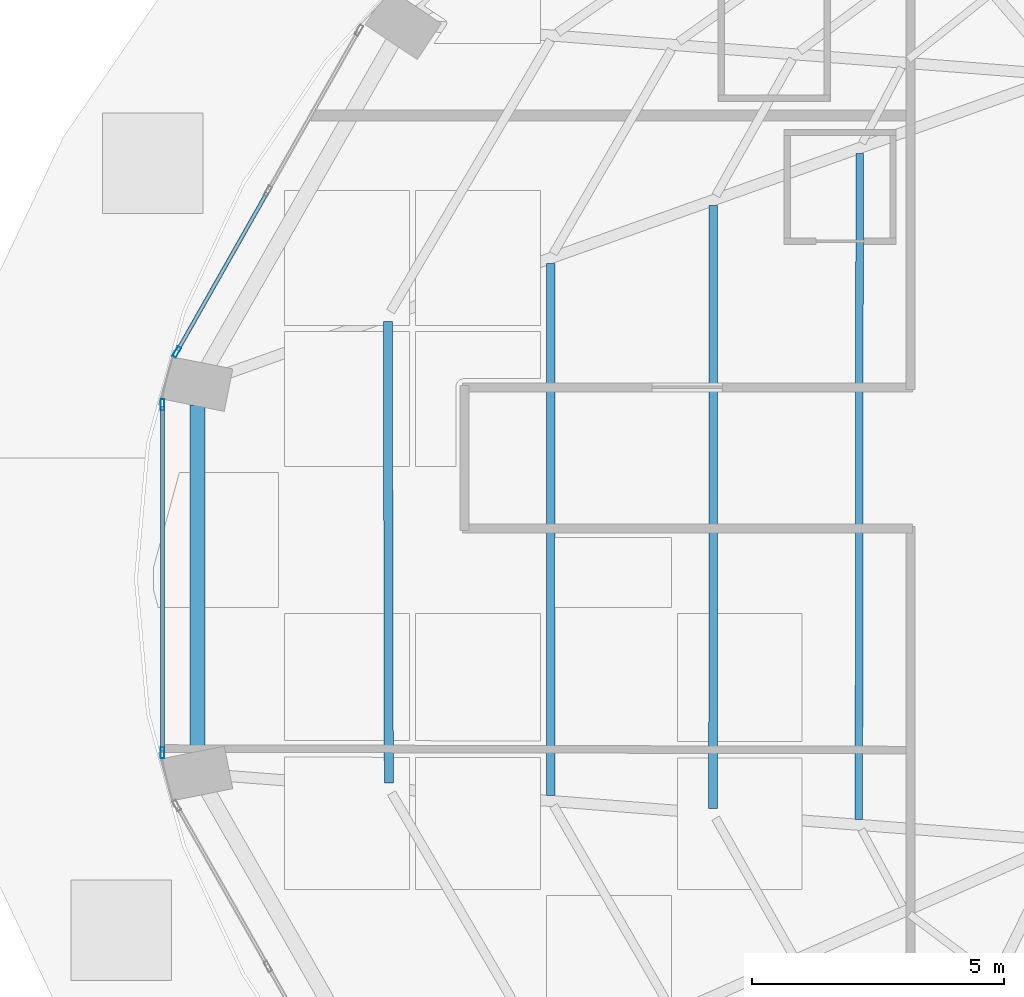
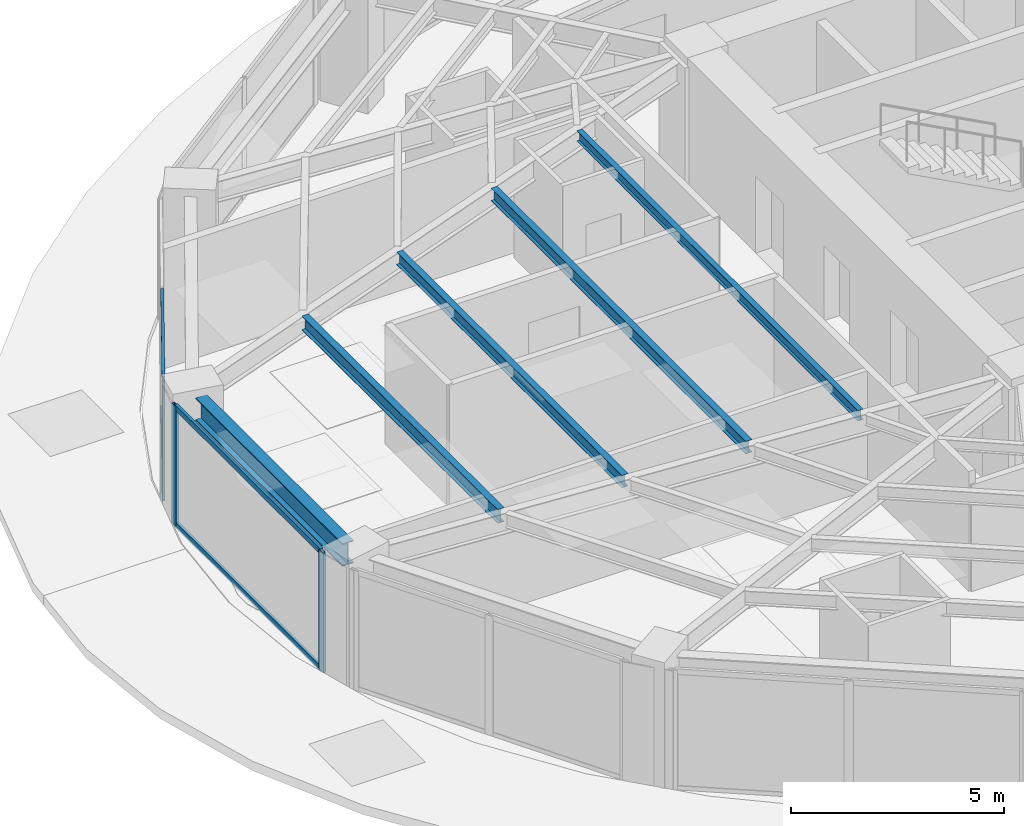
# One storey, part 7 of 25: 7 members, 5 beams, 2 elements without a shape of their own.
"""IFC4 building model written with IfcOpenShell, lengths in metres."""

import ifcopenshell
import ifcopenshell.guid

model = None  # the IFC model being written
_history = None  # IfcOwnerHistory: only IFC2X3 demands one
_inside = {}  # id of a spatial element -> (the spatial element, [elements in it])
_under = {}  # id of a project, library or spatial element -> (it, [spatial elements below it])
_declared = {}  # id of a project -> (the project, [libraries it declares])
_typed = {}  # id of a type object -> (the type object, [elements of that type])
_made_of = {}  # id of a material, layer set ... -> (it, [elements and type objects made of it])


def new_model(schema):
    """Start an empty IFC model of exactly this schema.

    Asked for "IFC4X3", IfcOpenShell would pick the latest addendum, in which some entities
    have other attributes; the version numbers below select the first issue.
    IFC2X3 requires an IfcOwnerHistory on every rooted entity: one is made here for all.
    """
    global model, _history
    if schema == "IFC4X3":
        model = ifcopenshell.file(schema_version=(4, 3, 0, 0))
    else:
        model = ifcopenshell.file(schema=schema)
    _inside.clear()
    _under.clear()
    _declared.clear()
    _typed.clear()
    _made_of.clear()
    _history = None
    if model.schema == "IFC2X3":
        org = make("IfcOrganization", Name="unknown")
        user = make(
            "IfcPersonAndOrganization",
            ThePerson=make("IfcPerson", FamilyName="unknown"),
            TheOrganization=org,
        )
        app = make(
            "IfcApplication",
            ApplicationDeveloper=org,
            Version="unknown",
            ApplicationFullName="unknown",
            ApplicationIdentifier="unknown",
        )
        _history = make(
            "IfcOwnerHistory",
            OwningUser=user,
            OwningApplication=app,
            ChangeAction="ADDED",
            CreationDate=0,
        )
    return model


def make(cls, **values):
    """One entity of the class cls with the attributes given. An attribute that is None is left unset."""
    return model.create_entity(
        cls, **{name: value for name, value in values.items() if value is not None}
    )


def rooted(cls, **values):
    """An entity with a GlobalId (a new one), such as an element, a storey or a relation."""
    return make(cls, GlobalId=ifcopenshell.guid.new(), OwnerHistory=_history, **values)


def si_unit(unit_type, name, prefix=None):
    """IfcSIUnit, for example si_unit("LENGTHUNIT", "METRE", prefix="MILLI")."""
    return make("IfcSIUnit", UnitType=unit_type, Prefix=prefix, Name=name)


def assignment(units):
    """IfcUnitAssignment: the units of a project."""
    return None if units is None else make("IfcUnitAssignment", Units=units)


def point(xyz):
    """IfcCartesianPoint."""
    return None if xyz is None else make("IfcCartesianPoint", Coordinates=xyz)


def direction(xyz):
    """IfcDirection."""
    return None if xyz is None else make("IfcDirection", DirectionRatios=xyz)


def frame(location, z_axis=None, x_axis=None):
    """IfcAxis2Placement3D, a coordinate frame: its origin and axes. An axis left out is left unset."""
    return make(
        "IfcAxis2Placement3D",
        Location=point(location),
        Axis=direction(z_axis),
        RefDirection=direction(x_axis),
    )


def frame_2d(location, x_axis=None):
    """IfcAxis2Placement2D, a coordinate frame in the plane: its origin and x axis."""
    return make(
        "IfcAxis2Placement2D", Location=point(location), RefDirection=direction(x_axis)
    )


def origin():
    """The frame at (0, 0, 0) with its axes left unset."""
    return frame((0.0, 0.0, 0.0))


def origin_2d():
    """The frame at (0, 0) in the plane with its x axis left unset."""
    return frame_2d((0.0, 0.0))


def place(relative_to, where):
    """IfcLocalPlacement: puts the frame where relative to a parent placement (None: the world)."""
    return make(
        "IfcLocalPlacement", PlacementRelTo=relative_to, RelativePlacement=where
    )


def context(
    kind, dimensions, precision=None, world=None, true_north=None, identifier=None
):
    """IfcGeometricRepresentationContext, for example the 3D "Model" context."""
    return make(
        "IfcGeometricRepresentationContext",
        ContextIdentifier=identifier,
        ContextType=kind,
        CoordinateSpaceDimension=dimensions,
        Precision=precision,
        WorldCoordinateSystem=world,
        TrueNorth=true_north,
    )


def subcontext(parent, identifier, kind, view, scale=None):
    """IfcGeometricRepresentationSubContext, for example "Body" below "Model"."""
    return make(
        "IfcGeometricRepresentationSubContext",
        ContextIdentifier=identifier,
        ContextType=kind,
        ParentContext=parent,
        TargetScale=scale,
        TargetView=view,
    )


def project(units=None, contexts=None):
    """IfcProject with its units and contexts."""
    return rooted(
        "IfcProject",
        Name="project",
        RepresentationContexts=contexts,
        UnitsInContext=assignment(units),
    )


def spatial(cls, under=None, at=None, **own):
    """A site, building, storey or space (cls), placed at a placement, below another one or the project."""
    s = rooted(cls, ObjectPlacement=at, **own)
    if under is not None:
        _under.setdefault(under.id(), (under, []))[1].append(s)
    return s


def profile(cls, at=None, kind="AREA", **sizes):
    """A parametric profile (cls). Its sizes go by their IFC names, for example OverallWidth=200.0."""
    return make(cls, ProfileType=kind, Position=at, **sizes)


def hollow_rectangle(**sizes):
    """IfcRectangleHollowProfileDef."""
    return profile("IfcRectangleHollowProfileDef", **sizes)


def i_section(**sizes):
    """IfcIShapeProfileDef."""
    return profile("IfcIShapeProfileDef", **sizes)


def extrude(swept, where, along, depth):
    """IfcExtrudedAreaSolid: the profile swept, set in the frame where, extruded along a direction by depth."""
    return make(
        "IfcExtrudedAreaSolid",
        SweptArea=swept,
        Position=where,
        ExtrudedDirection=direction(along),
        Depth=depth,
    )


def shape(context_of_items, identifier, shape_type, items):
    """IfcShapeRepresentation: the items that make up one representation, for example the "Body"."""
    return make(
        "IfcShapeRepresentation",
        ContextOfItems=context_of_items,
        RepresentationIdentifier=identifier,
        RepresentationType=shape_type,
        Items=items,
    )


def material(Name=None, Category=None):
    """IfcMaterial."""
    return make("IfcMaterial", Name=Name, Category=Category)


def layer(
    of_material, thickness, ventilated=None, Name=None, Category=None, Priority=None
):
    """IfcMaterialLayer: one layer of a wall or slab, of a material (None: an air gap)."""
    return make(
        "IfcMaterialLayer",
        Material=of_material,
        LayerThickness=thickness,
        IsVentilated=ventilated,
        Name=Name,
        Category=Category,
        Priority=Priority,
    )


def layer_set(layers, Name=None):
    """IfcMaterialLayerSet."""
    return make("IfcMaterialLayerSet", MaterialLayers=layers, LayerSetName=Name)


def material_profile(
    of_material, cross_section, Name=None, Category=None, Priority=None
):
    """IfcMaterialProfile: a cross section and its material."""
    return make(
        "IfcMaterialProfile",
        Name=Name,
        Material=of_material,
        Profile=cross_section,
        Priority=Priority,
        Category=Category,
    )


def profile_set(profiles, Name=None, composite=None):
    """IfcMaterialProfileSet."""
    return make(
        "IfcMaterialProfileSet",
        Name=Name,
        MaterialProfiles=profiles,
        CompositeProfile=composite,
    )


def made_of(thing, what):
    """Note that an element or type object is made of a material, layer set ...; save() writes the relation."""
    if what is not None:
        _made_of.setdefault(what.id(), (what, []))[1].append(thing)
    return thing


def type_object(cls, material=None, **own):
    """A type object (cls), such as IfcWallType, which elements share."""
    return made_of(rooted(cls, **own), material)


def element(
    cls,
    number,
    at=None,
    inside=None,
    cuts=None,
    type_object=None,
    material=None,
    context=None,
    identifier="Body",
    shape_type=None,
    held_by="IfcProductDefinitionShape",
    body=None,
    shapes=None,
    **own,
):
    """One element of the class cls, such as IfcWall. Its Tag is "e" and its number.

    at: its placement. inside: the storey or other place that contains it. cuts: it is an
    opening in that element (IfcRelVoidsElement). A single representation is given by context,
    identifier, shape_type and body (its items); several are given by shapes. held_by: the class
    of the entity that holds the representations. save() writes the other relations.
    """
    e = rooted(cls, Tag="e%d" % number, ObjectPlacement=at, **own)
    if body is not None:
        shapes = [shape(context, identifier, shape_type, body)]
    if shapes is not None:
        e.Representation = make(held_by, Representations=shapes)
    if inside is not None:
        _inside.setdefault(inside.id(), (inside, []))[1].append(e)
    if cuts is not None:
        rooted(
            "IfcRelVoidsElement", RelatingBuildingElement=cuts, RelatedOpeningElement=e
        )
    if type_object is not None:
        _typed.setdefault(type_object.id(), (type_object, []))[1].append(e)
    return made_of(e, material)


def aggregate(whole, parts):
    """IfcRelAggregates: a whole, such as a stair, and the parts it consists of."""
    return rooted("IfcRelAggregates", RelatingObject=whole, RelatedObjects=parts)


def save(model, path):
    """Write the relations noted so far, then the file.

    IfcRelAggregates (storeys below a building ...), IfcRelContainedInSpatialStructure (elements
    in a storey), IfcRelDefinesByType, IfcRelAssociatesMaterial and IfcRelDeclares: one each for
    every whole, place, type object, material and project.
    """
    for whole, parts in _under.values():
        aggregate(whole, parts)
    for where, things in _inside.values():
        rooted(
            "IfcRelContainedInSpatialStructure",
            RelatedElements=things,
            RelatingStructure=where,
        )
    for kind, things in _typed.values():
        rooted("IfcRelDefinesByType", RelatedObjects=things, RelatingType=kind)
    for what, things in _made_of.values():
        rooted("IfcRelAssociatesMaterial", RelatedObjects=things, RelatingMaterial=what)
    for by, libraries in _declared.values():
        rooted("IfcRelDeclares", RelatingContext=by, RelatedDefinitions=libraries)
    model.write(path)


model = new_model("IFC4")

# Units and contexts
model_context = context("Model", 3, precision=1e-05, world=origin(), true_north=direction((0.0, 1.0)))
body_context = subcontext(model_context, "Body", "Model", "MODEL_VIEW")
ifc_project = project(units=[si_unit("LENGTHUNIT", "METRE"), si_unit("AREAUNIT", "SQUARE_METRE"), si_unit("VOLUMEUNIT", "CUBIC_METRE"), si_unit("PLANEANGLEUNIT", "RADIAN"), si_unit("MASSUNIT", "GRAM", prefix="KILO")], contexts=[model_context])

# Site, building, storey
site_placement = place(None, origin())
site = spatial("IfcSite", under=ifc_project, at=site_placement, CompositionType="ELEMENT")
building_placement = place(site_placement, origin())
building = spatial("IfcBuilding", under=site, at=building_placement, Name="Lazwardi Medical Tower", CompositionType="ELEMENT")
storey_placement = place(building_placement, frame((0.0, 0.0, 25.199951171875)))
storey = spatial("IfcBuildingStorey", under=building, at=storey_placement, Name="L05", CompositionType="ELEMENT", Elevation=25.199951171875)

# Beams
ifc_material_1 = material(Name="Steel S355", Category="steel")
ifc_material_profile_1 = material_profile(ifc_material_1, i_section(OverallWidth=0.300048828125, OverallDepth=0.64990234375, WebThickness=0.01611328125, FlangeThickness=0.031005859375, at=origin_2d()), Name="HEB 650")
ifc_profile_set_1 = profile_set([ifc_material_profile_1], Name="Steel S355")
beam_type_1 = type_object("IfcBeamType", Name="BM-RB-Z1", PredefinedType="BEAM", material=ifc_profile_set_1)
beam_1_placement = place(storey_placement, frame((9.199951171875, 29.047607421875, 3.10302734375), z_axis=(0.0, -1.0, 0.0), x_axis=(1.0, 0.0, 0.0)))
element("IfcBeam", 1, at=beam_1_placement, inside=storey, type_object=beam_type_1, Name="Ring beam RB-02 B12 L05", PredefinedType="BEAM", context=body_context, shape_type="SweptSolid", body=[
    extrude(i_section(OverallWidth=0.300048828125, OverallDepth=0.64990234375, WebThickness=0.01611328125, FlangeThickness=0.031005859375, at=origin_2d()), origin(), (0.0, 0.0, 1.0), 6.895263671875),
])
ifc_material_profile_2 = material_profile(ifc_material_1, i_section(OverallWidth=0.179931640625, OverallDepth=0.39990234375, WebThickness=0.008544921875, FlangeThickness=0.013427734375, at=origin_2d()), Name="IPE 400")
ifc_profile_set_2 = profile_set([ifc_material_profile_2], Name="Steel S355")
beam_type_2 = type_object("IfcBeamType", Name="BM-SJ-01", PredefinedType="JOIST", material=ifc_profile_set_2)
beam_2_placement = place(storey_placement, frame((12.9765625, 30.708984375, 3.22802734375), z_axis=(0.002077613181, -0.999997841759, 0.0), x_axis=(0.999997841759, 0.002077613181, 0.0)))
element("IfcBeam", 2, at=beam_2_placement, inside=storey, type_object=beam_type_2, Name="Secondary joist SJ-01 R1 B12 L05", PredefinedType="JOIST", context=body_context, shape_type="SweptSolid", body=[
    extrude(i_section(OverallWidth=0.179931640625, OverallDepth=0.39990234375, WebThickness=0.008544921875, FlangeThickness=0.013427734375, at=origin_2d()), origin(), (0.0, 0.0, 1.0), 9.165771484375),
])
ifc_material_profile_3 = material_profile(ifc_material_1, i_section(OverallWidth=0.169921875, OverallDepth=0.360107421875, WebThickness=0.008056640625, FlangeThickness=0.0126953125, at=origin_2d()), Name="IPE 360")
ifc_profile_set_3 = profile_set([ifc_material_profile_3], Name="Steel S355")
beam_type_3 = type_object("IfcBeamType", Name="BM-SJ-02", PredefinedType="JOIST", material=ifc_profile_set_3)
beam_3_placement = place(storey_placement, frame((16.206298828125, 31.860595703125, 3.248046875), z_axis=(0.000670039821, -0.999999775523, 0.0), x_axis=(0.999999775523, 0.000670039821, 0.0)))
element("IfcBeam", 3, at=beam_3_placement, inside=storey, type_object=beam_type_3, Name="Secondary joist SJ-02 R2 B12 L05", PredefinedType="JOIST", context=body_context, shape_type="SweptSolid", body=[
    extrude(i_section(OverallWidth=0.169921875, OverallDepth=0.360107421875, WebThickness=0.008056640625, FlangeThickness=0.0126953125, at=origin_2d()), origin(), (0.0, 0.0, 1.0), 10.566650390625),
])
beam_4_placement = place(storey_placement, frame((19.43603515625, 33.01220703125, 3.248046875), z_axis=(-0.000387612685, -0.999999924878, 0.0), x_axis=(0.999999924878, -0.000387612685, 0.0)))
element("IfcBeam", 4, at=beam_4_placement, inside=storey, type_object=beam_type_3, Name="Secondary joist SJ-02 R3 B12 L05", PredefinedType="JOIST", context=body_context, shape_type="SweptSolid", body=[
    extrude(i_section(OverallWidth=0.169921875, OverallDepth=0.360107421875, WebThickness=0.008056640625, FlangeThickness=0.0126953125, at=origin_2d()), origin(), (0.0, 0.0, 1.0), 11.96728515625),
])
ifc_material_profile_4 = material_profile(ifc_material_1, i_section(OverallWidth=0.14990234375, OverallDepth=0.300048828125, WebThickness=0.007080078125, FlangeThickness=0.0107421875, at=origin_2d()), Name="IPE 300")
ifc_profile_set_4 = profile_set([ifc_material_profile_4], Name="Steel S355")
beam_type_4 = type_object("IfcBeamType", Name="BM-SJ-03", PredefinedType="JOIST", material=ifc_profile_set_4)
beam_5_placement = place(storey_placement, frame((22.343017578125, 34.048583984375, 3.278076171875), z_axis=(-0.001181203266, -0.999999302379, 0.0), x_axis=(0.999999302379, -0.001181203266, 0.0)))
element("IfcBeam", 5, at=beam_5_placement, inside=storey, type_object=beam_type_4, Name="Secondary joist SJ-03 R4 B12 L05", PredefinedType="JOIST", context=body_context, shape_type="SweptSolid", body=[
    extrude(i_section(OverallWidth=0.14990234375, OverallDepth=0.300048828125, WebThickness=0.007080078125, FlangeThickness=0.0107421875, at=origin_2d()), origin(), (0.0, 0.0, 1.0), 13.22802734375),
])

# Curtain wall, member
ifc_material_2 = material(Name="Anodised bronze aluminium and solar control glazing", Category="aluminium")
ifc_layer = layer(ifc_material_2, 0.199951171875)
ifc_layer_set = layer_set([ifc_layer], Name="Anodised bronze aluminium and solar control glazing")
curtain_wall_type = type_object("IfcCurtainWallType", Name="CW-SYS-02", PredefinedType="NOTDEFINED", material=ifc_layer_set)
curtain_wall_1_placement = place(storey_placement, origin())
curtain_wall_1 = element("IfcCurtainWall", 6, at=curtain_wall_1_placement, inside=storey, type_object=curtain_wall_type, Name="L05 Unitised bronze curtain wall CW-02", PredefinedType="NOTDEFINED")
ifc_material_3 = material(Name="Anodised bronze aluminium", Category="aluminium")
ifc_material_profile_5 = material_profile(ifc_material_3, hollow_rectangle(XDim=0.074951171875, YDim=0.219970703125, WallThickness=0.00390625, at=origin_2d()), Name="ALU-MULLION 220x75x4")
ifc_profile_set_5 = profile_set([ifc_material_profile_5], Name="Anodised bronze aluminium")
member_type_1 = type_object("IfcMemberType", Name="CW-MUL-01", PredefinedType="MULLION", material=ifc_profile_set_5)
member_1_placement = place(storey_placement, frame((8.785888671875, 30.102294921875, 0.0), z_axis=(0.0, 0.0, 1.0), x_axis=(0.870111838823, -0.492854327303, 0.0)))
member_1 = element("IfcMember", 7, at=member_1_placement, type_object=member_type_1, Name="CW-02 mullion 3", PredefinedType="MULLION", context=body_context, shape_type="SweptSolid", body=[
    extrude(hollow_rectangle(XDim=0.074951171875, YDim=0.219970703125, WallThickness=0.00390625, at=origin_2d()), origin(), (0.0, 0.0, 1.0), 3.427978515625),
])

# Curtain wall, members
curtain_wall_2_placement = place(storey_placement, origin())
curtain_wall_2 = element("IfcCurtainWall", 8, at=curtain_wall_2_placement, inside=storey, type_object=curtain_wall_type, Name="L05 Unitised bronze curtain wall CW-02", PredefinedType="NOTDEFINED")
member_2_placement = place(storey_placement, frame((8.50146484375, 29.053955078125, 0.0), z_axis=(0.0, 0.0, 1.0), x_axis=(1.0, 0.0, 0.0)))
member_2 = element("IfcMember", 9, at=member_2_placement, type_object=member_type_1, Name="CW-02 mullion 1", PredefinedType="MULLION", context=body_context, shape_type="SweptSolid", body=[
    extrude(hollow_rectangle(XDim=0.074951171875, YDim=0.219970703125, WallThickness=0.00390625, at=origin_2d()), origin(), (0.0, 0.0, 1.0), 3.427978515625),
])
member_3_placement = place(storey_placement, frame((8.50146484375, 22.14599609375, 0.0), z_axis=(0.0, 0.0, 1.0), x_axis=(1.0, 0.0, 0.0)))
member_3 = element("IfcMember", 10, at=member_3_placement, type_object=member_type_1, Name="CW-02 mullion 2", PredefinedType="MULLION", context=body_context, shape_type="SweptSolid", body=[
    extrude(hollow_rectangle(XDim=0.074951171875, YDim=0.219970703125, WallThickness=0.00390625, at=origin_2d()), origin(), (0.0, 0.0, 1.0), 3.427978515625),
])

# Member
ifc_material_profile_6 = material_profile(ifc_material_3, hollow_rectangle(XDim=0.074951171875, YDim=0.159912109375, WallThickness=0.00390625, at=origin_2d()), Name="ALU-TRANSOM 160x75x4")
ifc_profile_set_6 = profile_set([ifc_material_profile_6], Name="Anodised bronze aluminium")
member_type_2 = type_object("IfcMemberType", Name="CW-TRN-01", PredefinedType="USERDEFINED", material=ifc_profile_set_6)
member_4_placement = place(storey_placement, frame((10.576171875, 33.262939453125, 0.03759765625), z_axis=(-0.49285148925, -0.870113446365, 0.0), x_axis=(0.870113446365, -0.49285148925, 0.0)))
member_4 = element("IfcMember", 11, at=member_4_placement, type_object=member_type_2, Name="CW-02 transom 2.1", ObjectType="TRANSOM", PredefinedType="USERDEFINED", context=body_context, shape_type="SweptSolid", body=[
    extrude(hollow_rectangle(XDim=0.074951171875, YDim=0.159912109375, WallThickness=0.00390625, at=origin_2d()), origin(), (0.0, 0.0, 1.0), 3.594970703125),
])

member_5_placement = place(storey_placement, frame((10.576171875, 33.262939453125, 3.390625), z_axis=(-0.49285148925, -0.870113446365, 0.0), x_axis=(0.870113446365, -0.49285148925, 0.0)))
member_5 = element("IfcMember", 12, at=member_5_placement, type_object=member_type_2, Name="CW-02 transom 2.2", ObjectType="TRANSOM", PredefinedType="USERDEFINED", context=body_context, shape_type="SweptSolid", body=[
    extrude(hollow_rectangle(XDim=0.074951171875, YDim=0.159912109375, WallThickness=0.00390625, at=origin_2d()), origin(), (0.0, 0.0, 1.0), 3.594970703125),
])

aggregate(curtain_wall_1, [member_1, member_4, member_5])

member_6_placement = place(storey_placement, frame((8.50146484375, 29.0166015625, 0.03759765625), z_axis=(0.0, -1.0, 0.0), x_axis=(1.0, 0.0, 0.0)))
member_6 = element("IfcMember", 13, at=member_6_placement, type_object=member_type_2, Name="CW-02 transom 1.1", ObjectType="TRANSOM", PredefinedType="USERDEFINED", context=body_context, shape_type="SweptSolid", body=[
    extrude(hollow_rectangle(XDim=0.074951171875, YDim=0.159912109375, WallThickness=0.00390625, at=origin_2d()), origin(), (0.0, 0.0, 1.0), 6.8330078125),
])

member_7_placement = place(storey_placement, frame((8.50146484375, 29.0166015625, 3.390625), z_axis=(0.0, -1.0, 0.0), x_axis=(1.0, 0.0, 0.0)))
member_7 = element("IfcMember", 14, at=member_7_placement, type_object=member_type_2, Name="CW-02 transom 1.2", ObjectType="TRANSOM", PredefinedType="USERDEFINED", context=body_context, shape_type="SweptSolid", body=[
    extrude(hollow_rectangle(XDim=0.074951171875, YDim=0.159912109375, WallThickness=0.00390625, at=origin_2d()), origin(), (0.0, 0.0, 1.0), 6.8330078125),
])

aggregate(curtain_wall_2, [member_2, member_3, member_6, member_7])

save(model, "model.ifc")
